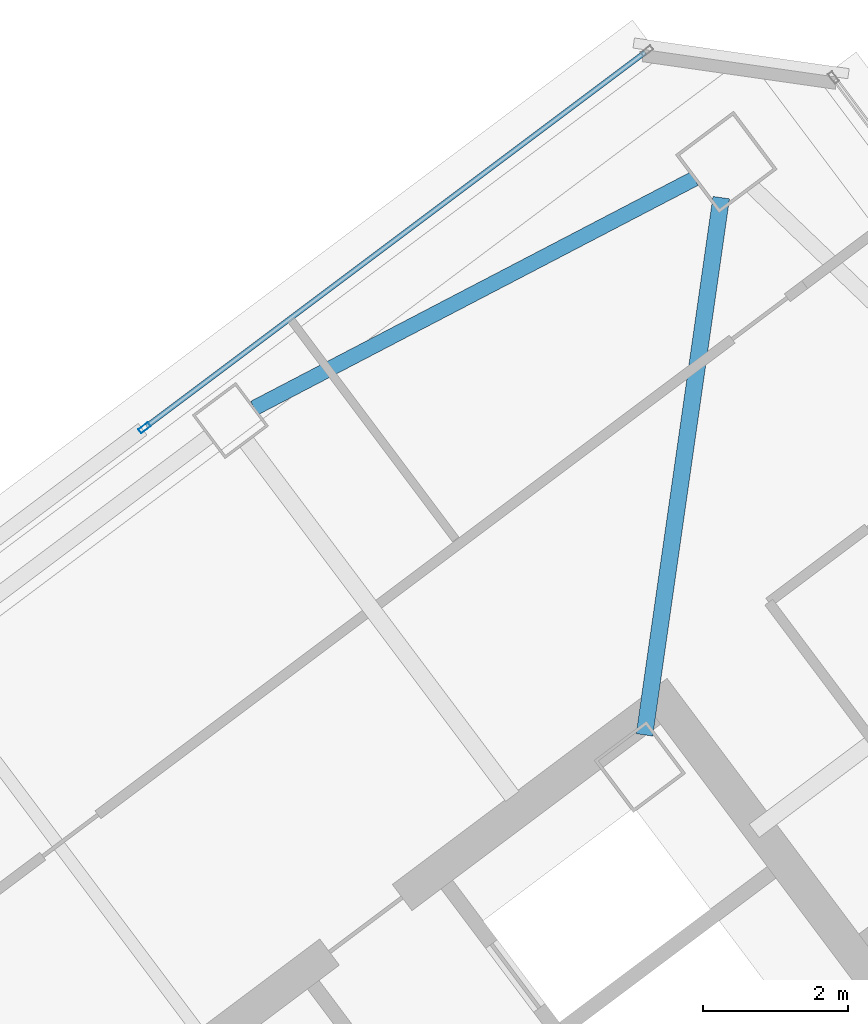
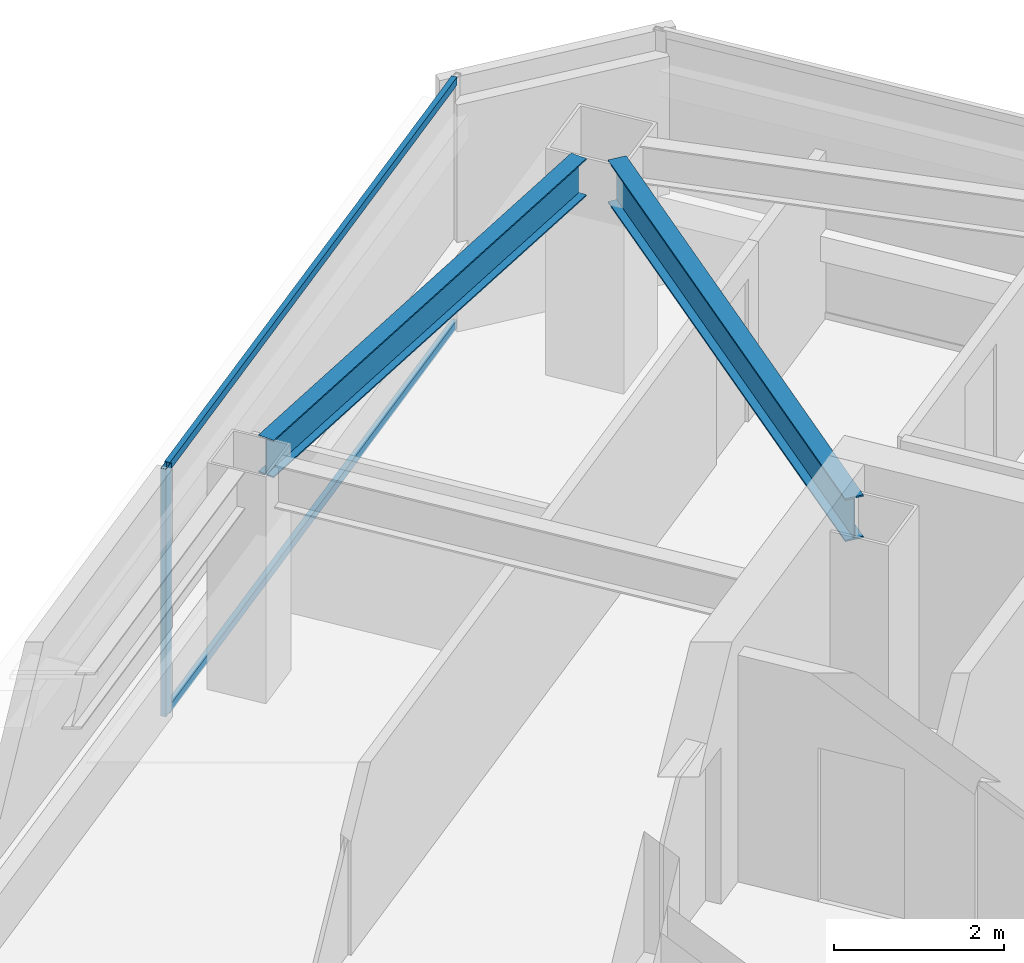
# One storey, part 26 of 39: 3 members, 2 beams, 1 element without a shape of its own.
"""IFC4 building model written with IfcOpenShell, lengths in metres."""

from ifc_helpers import new_model, si_unit, direction, frame, origin, origin_2d, place, context, subcontext, project, spatial, hollow_rectangle, i_section, extrude, material, material_profile, profile_set, type_object, element, aggregate, save


model = new_model("IFC4")

# Units and contexts
model_context = context("Model", 3, precision=1e-05, world=origin(), true_north=direction((0.0, 1.0)))
body_context = subcontext(model_context, "Body", "Model", "MODEL_VIEW")
ifc_project = project(units=[si_unit("LENGTHUNIT", "METRE"), si_unit("AREAUNIT", "SQUARE_METRE"), si_unit("VOLUMEUNIT", "CUBIC_METRE"), si_unit("PLANEANGLEUNIT", "RADIAN"), si_unit("MASSUNIT", "GRAM", prefix="KILO")], contexts=[model_context])

# Site, building, storey
site_placement = place(None, origin())
site = spatial("IfcSite", under=ifc_project, at=site_placement, CompositionType="ELEMENT")
building_placement = place(site_placement, origin())
building = spatial("IfcBuilding", under=site, at=building_placement, Name="Tashvorn Skyway Center", CompositionType="ELEMENT")
storey_placement = place(building_placement, frame((0.0, 0.0, 243.25)))
storey = spatial("IfcBuildingStorey", under=building, at=storey_placement, Name="L66", CompositionType="ELEMENT", Elevation=243.25)

# Beams
ifc_material_1 = material(Name="Steel ASTM A992 Grade 50", Category="steel")
ifc_material_profile_1 = material_profile(ifc_material_1, i_section(OverallWidth=0.22998046875, OverallDepth=0.616943359375, WebThickness=0.01318359375, FlangeThickness=0.022216796875, at=origin_2d()), Name="W24X94")
ifc_profile_set_1 = profile_set([ifc_material_profile_1], Name="Steel ASTM A992 Grade 50")
beam_type_1 = type_object("IfcBeamType", Name="BM-BEAM-W24X94", PredefinedType="BEAM", material=ifc_profile_set_1)
beam_1_placement = place(storey_placement, frame((116.530029296875, 49.7099609375, 2.94140625), z_axis=(-0.141430501853, -0.989948187102, 0.0), x_axis=(0.989948187102, -0.141430501853, 0.0)))
element("IfcBeam", 1, at=beam_1_placement, inside=storey, type_object=beam_type_1, Name="Tower 2 L66 Primary Floor Girder MC-NE", PredefinedType="BEAM", context=body_context, shape_type="SweptSolid", body=[
    extrude(i_section(OverallWidth=0.22998046875, OverallDepth=0.616943359375, WebThickness=0.01318359375, FlangeThickness=0.022216796875, at=origin_2d()), origin(), (0.0, 0.0, 1.0), 7.474609375),
])
ifc_material_profile_2 = material_profile(ifc_material_1, i_section(OverallWidth=0.2109375, OverallDepth=0.5390625, WebThickness=0.01171875, FlangeThickness=0.018798828125, at=origin_2d()), Name="W21X73")
ifc_profile_set_2 = profile_set([ifc_material_profile_2], Name="Steel ASTM A992 Grade 50")
beam_type_2 = type_object("IfcBeamType", Name="BM-SPANDREL-W21X73", PredefinedType="SPANDREL", material=ifc_profile_set_2)
beam_2_placement = place(storey_placement, frame((116.1611328125, 49.97119140625, 2.98046875), z_axis=(-0.886773234579, -0.462204749472, 0.0), x_axis=(0.462204749472, -0.886773234579, 0.0)))
element("IfcBeam", 2, at=beam_2_placement, inside=storey, type_object=beam_type_2, Name="Tower 2 L66 Spandrel Beam 07", PredefinedType="SPANDREL", context=body_context, shape_type="SweptSolid", body=[
    extrude(i_section(OverallWidth=0.2109375, OverallDepth=0.5390625, WebThickness=0.01171875, FlangeThickness=0.018798828125, at=origin_2d()), origin(), (0.0, 0.0, 1.0), 6.837158203125),
])

# Curtain wall, members
ifc_material_2 = material(Name="Thermally broken bronze-anodized aluminium 6063-T6", Category="aluminium")
curtain_wall_type = type_object("IfcCurtainWallType", Name="CW-CW-Z5", PredefinedType="NOTDEFINED", material=ifc_material_2)
curtain_wall_placement = place(storey_placement, origin())
curtain_wall = element("IfcCurtainWall", 3, at=curtain_wall_placement, inside=storey, type_object=curtain_wall_type, Name="Tower 2 L66 North Unitised Curtain Wall Glazing Group 2", PredefinedType="NOTDEFINED")
ifc_material_profile_3 = material_profile(ifc_material_2, hollow_rectangle(XDim=0.070068359375, YDim=0.1650390625, WallThickness=0.00390625, at=origin_2d()), Name="ALU-MULL-70x165")
ifc_profile_set_3 = profile_set([ifc_material_profile_3], Name="Thermally broken bronze-anodized aluminium 6063-T6")
member_type_1 = type_object("IfcMemberType", Name="CWM-CW-Z5", PredefinedType="MULLION", material=ifc_profile_set_3)
member_1_placement = place(storey_placement, frame((108.587890625, 46.541015625, 0.0), z_axis=(0.0, 0.0, 1.0), x_axis=(-0.600000000002, 0.799999999998, 0.0)))
member_1 = element("IfcMember", 4, at=member_1_placement, type_object=member_type_1, Name="CW-Z5 mullion 1", PredefinedType="MULLION", context=body_context, shape_type="SweptSolid", body=[
    extrude(hollow_rectangle(XDim=0.070068359375, YDim=0.1650390625, WallThickness=0.00390625, at=origin_2d()), origin(), (0.0, 0.0, 1.0), 3.550048828125),
])
ifc_material_profile_4 = material_profile(ifc_material_2, hollow_rectangle(XDim=0.070068359375, YDim=0.114990234375, WallThickness=0.00390625, at=origin_2d()), Name="ALU-TRAN-70x115")
ifc_profile_set_4 = profile_set([ifc_material_profile_4], Name="Thermally broken bronze-anodized aluminium 6063-T6")
member_type_2 = type_object("IfcMemberType", Name="CWT-CW-Z5", PredefinedType="USERDEFINED", material=ifc_profile_set_4)
member_2_placement = place(storey_placement, frame((108.615966796875, 46.56201171875, 0.034912109375), z_axis=(0.800003414549, 0.599995447241, 0.0), x_axis=(-0.599995447241, 0.800003414549, 0.0)))
member_2 = element("IfcMember", 5, at=member_2_placement, type_object=member_type_2, Name="CW-Z5 transom 1.1", ObjectType="TRANSOM", PredefinedType="USERDEFINED", context=body_context, shape_type="SweptSolid", body=[
    extrude(hollow_rectangle(XDim=0.070068359375, YDim=0.114990234375, WallThickness=0.00390625, at=origin_2d()), origin(), (0.0, 0.0, 1.0), 8.580078125),
])
member_3_placement = place(storey_placement, frame((108.615966796875, 46.56201171875, 3.514892578125), z_axis=(0.800003414549, 0.599995447241, 0.0), x_axis=(-0.599995447241, 0.800003414549, 0.0)))
member_3 = element("IfcMember", 6, at=member_3_placement, type_object=member_type_2, Name="CW-Z5 transom 1.2", ObjectType="TRANSOM", PredefinedType="USERDEFINED", context=body_context, shape_type="SweptSolid", body=[
    extrude(hollow_rectangle(XDim=0.070068359375, YDim=0.114990234375, WallThickness=0.00390625, at=origin_2d()), origin(), (0.0, 0.0, 1.0), 8.580078125),
])
aggregate(curtain_wall, [member_1, member_2, member_3])

save(model, "model.ifc")
